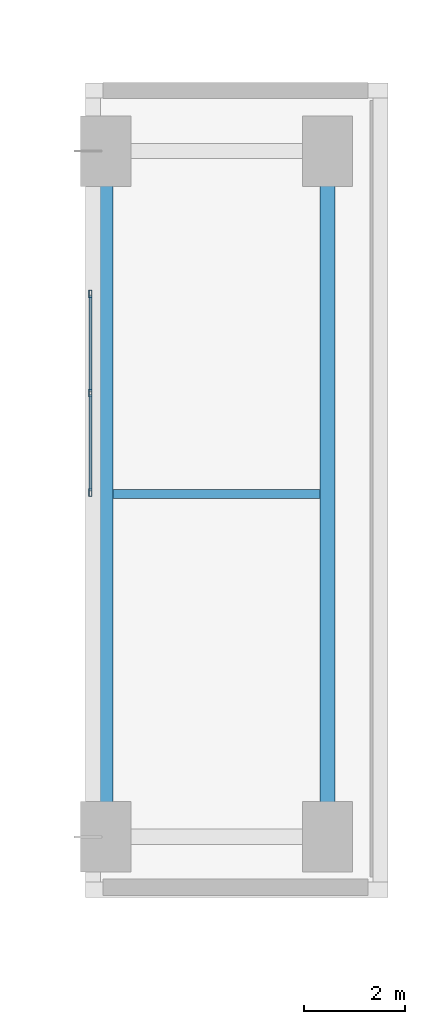
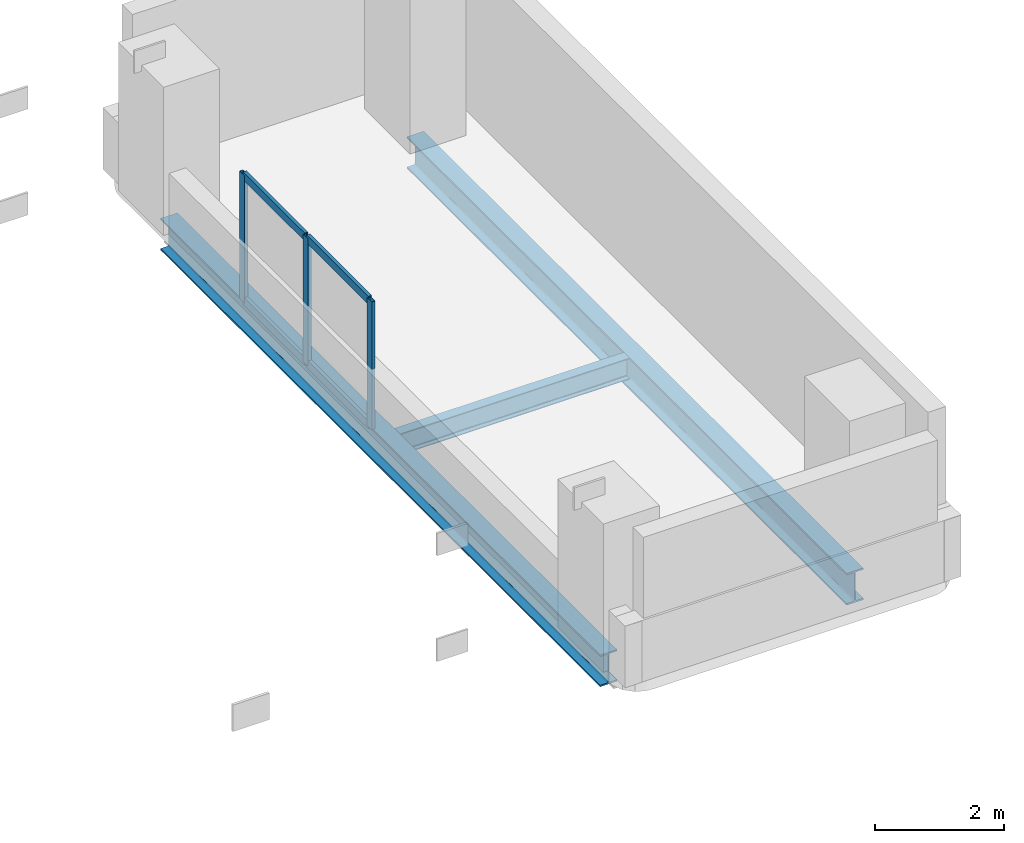
# One storey, part 4 of 14: 7 members, 3 beams, 1 element without a shape of its own.
"""IFC4 building model written with IfcOpenShell, lengths in metres."""

from ifc_helpers import new_model, si_unit, direction, frame, origin, origin_2d, place, context, subcontext, project, spatial, hollow_rectangle, i_section, extrude, material, material_profile, profile_set, type_object, element, aggregate, save


model = new_model("IFC4")

# Units and contexts
model_context = context("Model", 3, precision=1e-05, world=origin(), true_north=direction((0.0, 1.0)))
body_context = subcontext(model_context, "Body", "Model", "MODEL_VIEW")
ifc_project = project(units=[si_unit("LENGTHUNIT", "METRE"), si_unit("AREAUNIT", "SQUARE_METRE"), si_unit("VOLUMEUNIT", "CUBIC_METRE"), si_unit("PLANEANGLEUNIT", "RADIAN"), si_unit("MASSUNIT", "GRAM", prefix="KILO")], contexts=[model_context])

# Site, building, storey
site_placement = place(None, origin())
site = spatial("IfcSite", under=ifc_project, at=site_placement, CompositionType="ELEMENT")
building_placement = place(site_placement, origin())
building = spatial("IfcBuilding", under=site, at=building_placement, Name="Kuzgunbayir Cultural Tower", CompositionType="ELEMENT")
storey_placement = place(building_placement, frame((0.0, 0.0, 36.60009765625)))
storey = spatial("IfcBuildingStorey", under=building, at=storey_placement, Name="L09", CompositionType="ELEMENT", Elevation=36.60009765625)

# Beams
ifc_material_1 = material(Name="Steel S355J2", Category="steel")
ifc_material_profile_1 = material_profile(ifc_material_1, i_section(OverallWidth=0.300048828125, OverallDepth=0.60009765625, WebThickness=0.015380859375, FlangeThickness=0.030029296875, FilletRadius=0.027099609375, at=origin_2d()), Name="HEB 600")
ifc_profile_set_1 = profile_set([ifc_material_profile_1], Name="Steel S355J2")
beam_type_1 = type_object("IfcBeamType", Name="BM-EXT-HEB600", PredefinedType="BEAM", material=ifc_profile_set_1)
for number, where, z_axis, x_axis, name in (
    (1, (41.199951171875, 27.60009765625, -0.52001953125), (0.0, 1.0, 0.0), (-1.0, 0.0, 0.0), "L09 Portal Pier West Girder"),
    (2, (45.60009765625, 27.60009765625, -0.52001953125), (0.0, 1.0, 0.0), (-1.0, 0.0, 0.0), "L09 Portal Pier East Girder"),
):
    element("IfcBeam", number, at=place(storey_placement, frame(where, z_axis=z_axis, x_axis=x_axis)), inside=storey, type_object=beam_type_1, Name=name, PredefinedType="BEAM", context=body_context, shape_type="SweptSolid", body=[
        extrude(i_section(OverallWidth=0.300048828125, OverallDepth=0.60009765625, WebThickness=0.015380859375, FlangeThickness=0.030029296875, FilletRadius=0.027099609375, at=origin_2d()), origin(), (0.0, 0.0, 1.0), 13.599853515625),
    ])
ifc_material_profile_2 = material_profile(ifc_material_1, i_section(OverallWidth=0.179931640625, OverallDepth=0.39990234375, WebThickness=0.008544921875, FlangeThickness=0.013427734375, FilletRadius=0.02099609375, at=origin_2d()), Name="IPE 400")
ifc_profile_set_2 = profile_set([ifc_material_profile_2], Name="Steel S355J2")
beam_type_2 = type_object("IfcBeamType", Name="BM-JST-IPE400", PredefinedType="JOIST", material=ifc_profile_set_2)
beam_placement = place(storey_placement, frame((41.35009765625, 34.39990234375, -0.420166015625), z_axis=(1.0, 0.0, 0.0), x_axis=(0.0, 1.0, 0.0)))
element("IfcBeam", 3, at=beam_placement, inside=storey, type_object=beam_type_2, Name="L09 Portal Pier Joist", PredefinedType="JOIST", context=body_context, shape_type="SweptSolid", body=[
    extrude(i_section(OverallWidth=0.179931640625, OverallDepth=0.39990234375, WebThickness=0.008544921875, FlangeThickness=0.013427734375, FilletRadius=0.02099609375, at=origin_2d()), origin(), (0.0, 0.0, 1.0), 4.099853515625),
])

# Curtain wall, members
ifc_material_2 = material(Name="Anodised Aluminium Framing", Category="aluminium")
curtain_wall_type = type_object("IfcCurtainWallType", Name="CW02-PORTAL-SOFFIT", PredefinedType="NOTDEFINED", material=ifc_material_2)
curtain_wall_placement = place(storey_placement, origin())
curtain_wall = element("IfcCurtainWall", 4, at=curtain_wall_placement, inside=storey, type_object=curtain_wall_type, Name="L09 Void-Portal East Jamb Curtain Wall", PredefinedType="NOTDEFINED")
ifc_material_profile_3 = material_profile(ifc_material_2, hollow_rectangle(XDim=0.06005859375, YDim=0.14990234375, WallThickness=0.00390625, at=origin_2d()), Name="RHS 150x60x4")
ifc_profile_set_3 = profile_set([ifc_material_profile_3], Name="Anodised Aluminium Framing")
member_type_1 = type_object("IfcMemberType", Name="MEM-CW-MULLION-150", PredefinedType="MULLION", material=ifc_profile_set_3)
member_1_placement = place(storey_placement, frame((40.89990234375, 34.429931640625, 0.0), z_axis=(0.0, 0.0, 1.0), x_axis=(-1.0, 0.0, 0.0)))
member_1 = element("IfcMember", 5, at=member_1_placement, type_object=member_type_1, Name="CW02 mullion 1", PredefinedType="MULLION", context=body_context, shape_type="SweptSolid", body=[
    extrude(hollow_rectangle(XDim=0.06005859375, YDim=0.14990234375, WallThickness=0.00390625, at=origin_2d()), origin(), (0.0, 0.0, 1.0), 2.409912109375),
])
member_2_placement = place(storey_placement, frame((40.89990234375, 36.39990234375, 0.0), z_axis=(0.0, 0.0, 1.0), x_axis=(-1.0, 0.0, 0.0)))
member_2 = element("IfcMember", 6, at=member_2_placement, type_object=member_type_1, Name="CW02 mullion 2", PredefinedType="MULLION", context=body_context, shape_type="SweptSolid", body=[
    extrude(hollow_rectangle(XDim=0.06005859375, YDim=0.14990234375, WallThickness=0.00390625, at=origin_2d()), origin(), (0.0, 0.0, 1.0), 2.409912109375),
])
member_3_placement = place(storey_placement, frame((40.89990234375, 38.3701171875, 0.0), z_axis=(0.0, 0.0, 1.0), x_axis=(-1.0, 0.0, 0.0)))
member_3 = element("IfcMember", 7, at=member_3_placement, type_object=member_type_1, Name="CW02 mullion 3", PredefinedType="MULLION", context=body_context, shape_type="SweptSolid", body=[
    extrude(hollow_rectangle(XDim=0.06005859375, YDim=0.14990234375, WallThickness=0.00390625, at=origin_2d()), origin(), (0.0, 0.0, 1.0), 2.409912109375),
])
ifc_material_profile_4 = material_profile(ifc_material_2, hollow_rectangle(XDim=0.06005859375, YDim=0.14990234375, WallThickness=0.00390625, at=origin_2d()), Name="RHS 150x60x4")
ifc_profile_set_4 = profile_set([ifc_material_profile_4], Name="Anodised Aluminium Framing")
member_type_2 = type_object("IfcMemberType", Name="MEM-CW-TRANSOM-150", PredefinedType="USERDEFINED", material=ifc_profile_set_4)
member_4_placement = place(storey_placement, frame((40.89990234375, 34.4599609375, 0.02978515625), z_axis=(0.0, 1.0, 0.0), x_axis=(-1.0, 0.0, 0.0)))
member_4 = element("IfcMember", 8, at=member_4_placement, type_object=member_type_2, Name="CW02 transom 1.1", ObjectType="TRANSOM", PredefinedType="USERDEFINED", context=body_context, shape_type="SweptSolid", body=[
    extrude(hollow_rectangle(XDim=0.06005859375, YDim=0.14990234375, WallThickness=0.00390625, at=origin_2d()), origin(), (0.0, 0.0, 1.0), 1.91015625),
])
member_5_placement = place(storey_placement, frame((40.89990234375, 34.4599609375, 2.3798828125), z_axis=(0.0, 1.0, 0.0), x_axis=(-1.0, 0.0, 0.0)))
member_5 = element("IfcMember", 9, at=member_5_placement, type_object=member_type_2, Name="CW02 transom 1.2", ObjectType="TRANSOM", PredefinedType="USERDEFINED", context=body_context, shape_type="SweptSolid", body=[
    extrude(hollow_rectangle(XDim=0.06005859375, YDim=0.14990234375, WallThickness=0.00390625, at=origin_2d()), origin(), (0.0, 0.0, 1.0), 1.91015625),
])
member_6_placement = place(storey_placement, frame((40.89990234375, 36.429931640625, 0.02978515625), z_axis=(0.0, 1.0, 0.0), x_axis=(-1.0, 0.0, 0.0)))
member_6 = element("IfcMember", 10, at=member_6_placement, type_object=member_type_2, Name="CW02 transom 2.1", ObjectType="TRANSOM", PredefinedType="USERDEFINED", context=body_context, shape_type="SweptSolid", body=[
    extrude(hollow_rectangle(XDim=0.06005859375, YDim=0.14990234375, WallThickness=0.00390625, at=origin_2d()), origin(), (0.0, 0.0, 1.0), 1.91015625),
])
member_7_placement = place(storey_placement, frame((40.89990234375, 36.429931640625, 2.3798828125), z_axis=(0.0, 1.0, 0.0), x_axis=(-1.0, 0.0, 0.0)))
member_7 = element("IfcMember", 11, at=member_7_placement, type_object=member_type_2, Name="CW02 transom 2.2", ObjectType="TRANSOM", PredefinedType="USERDEFINED", context=body_context, shape_type="SweptSolid", body=[
    extrude(hollow_rectangle(XDim=0.06005859375, YDim=0.14990234375, WallThickness=0.00390625, at=origin_2d()), origin(), (0.0, 0.0, 1.0), 1.91015625),
])
aggregate(curtain_wall, [member_1, member_2, member_3, member_4, member_5, member_6, member_7])

save(model, "model.ifc")
